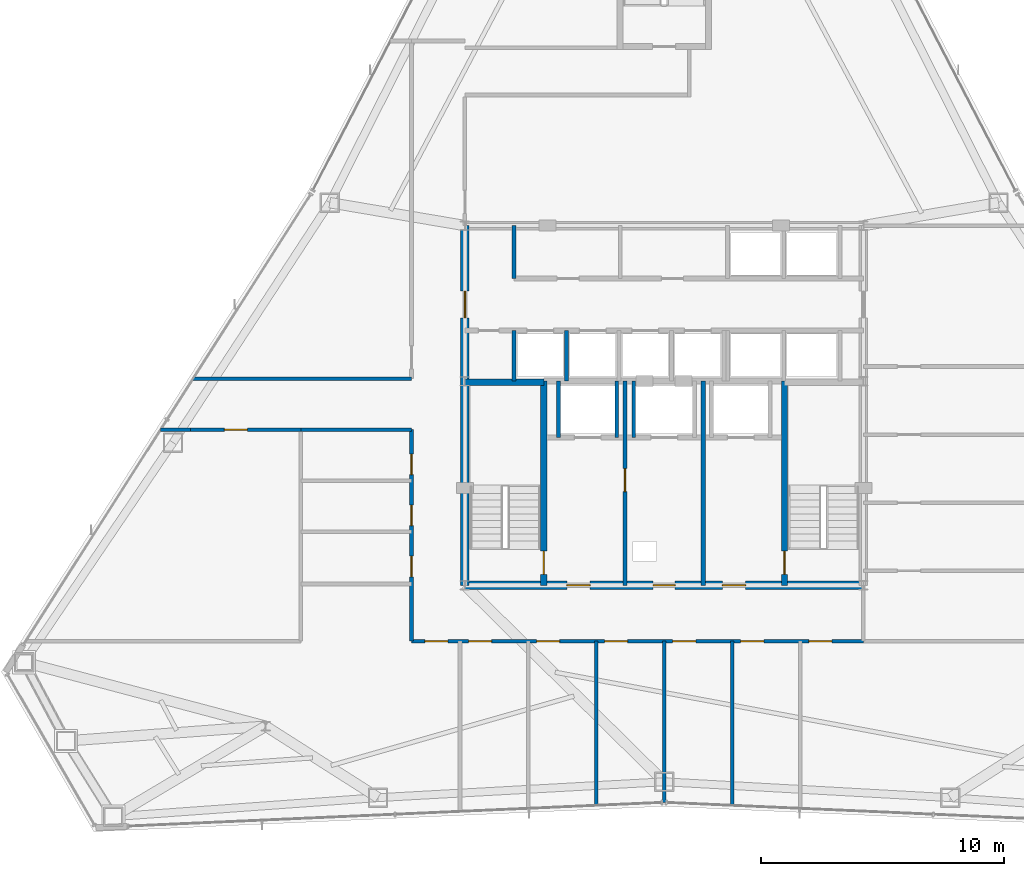
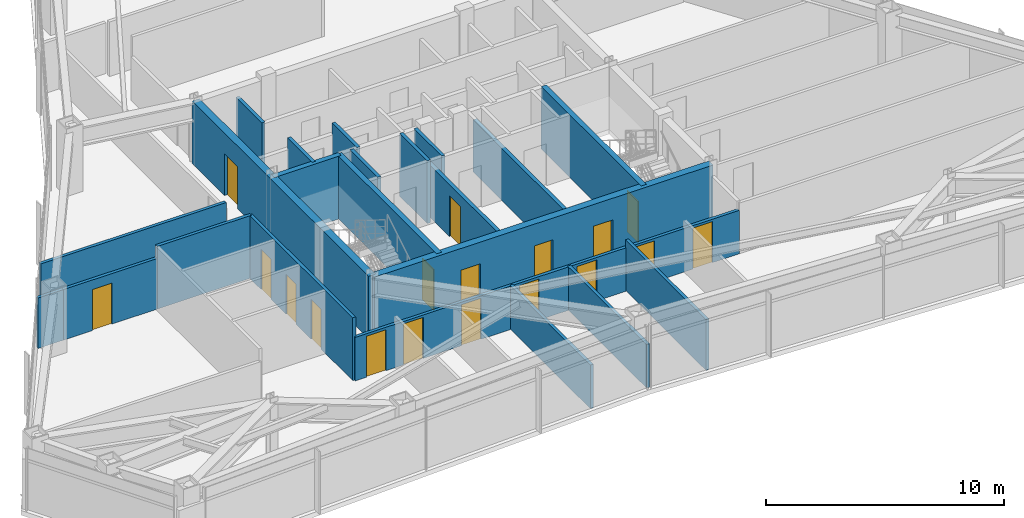
# One storey, part 10 of 13: 22 walls, 18 doors, 18 openings.
"""IFC4 building model written with IfcOpenShell, lengths in metres."""

from ifc_helpers import new_model, si_unit, direction, frame, frame_2d, origin, place, context, subcontext, project, spatial, rectangle, extrude, material, layer, layer_set, type_object, element, fill, save


model = new_model("IFC4")

# Units and contexts
model_context = context("Model", 3, precision=1e-05, world=origin(), true_north=direction((0.0, 1.0)))
body_context = subcontext(model_context, "Body", "Model", "MODEL_VIEW")
ifc_project = project(units=[si_unit("LENGTHUNIT", "METRE"), si_unit("AREAUNIT", "SQUARE_METRE"), si_unit("VOLUMEUNIT", "CUBIC_METRE"), si_unit("PLANEANGLEUNIT", "RADIAN"), si_unit("MASSUNIT", "GRAM", prefix="KILO")], contexts=[model_context])

# Site, building, storey
site_placement = place(None, origin())
site = spatial("IfcSite", under=ifc_project, at=site_placement, CompositionType="ELEMENT")
building_placement = place(site_placement, origin())
building = spatial("IfcBuilding", under=site, at=building_placement, Name="Varakhsha Concourse Tower", CompositionType="ELEMENT")
storey_placement = place(building_placement, frame((0.0, 0.0, 189.60009765625)))
storey = spatial("IfcBuildingStorey", under=building, at=storey_placement, Name="L54", CompositionType="ELEMENT", Elevation=189.60009765625)

# Wall, openings, doors
ifc_material_1 = material(Name="Concrete fc 65 MPa", Category="concrete")
ifc_layer_1 = layer(ifc_material_1, 0.35009765625, Name="WL-CORE-350")
ifc_layer_set_1 = layer_set([ifc_layer_1], Name="Concrete fc 65 MPa")
wall_type_1 = type_object("IfcWallType", Name="WL-CORE-350", PredefinedType="SHEAR", material=ifc_layer_set_1)
wall_1_placement = place(storey_placement, frame((31.800048828125, 16.39990234375, 0.0), z_axis=(0.0, 0.0, 1.0), x_axis=(1.0, 0.0, 0.0)))
wall_1 = element("IfcWall", 1, at=wall_1_placement, inside=storey, type_object=wall_type_1, Name="L54 Wall CWALL-S-L54", PredefinedType="SHEAR", context=body_context, shape_type="SweptSolid", body=[
    extrude(rectangle(XDim=16.39990234375, YDim=0.35009765625, at=frame_2d((8.199951171875, 0.0))), origin(), (0.0, 0.0, 1.0), 3.2099609375),
])
opening_1_placement = place(wall_1_placement, frame((7.75, 0.0, 0.0)))
opening_1 = element("IfcOpeningElement", 2, at=opening_1_placement, cuts=wall_1, Name="Opening DF-06", PredefinedType="OPENING", context=body_context, shape_type="SweptSolid", body=[
    extrude(rectangle(XDim=0.89990234375, YDim=2.10009765625, at=frame_2d((0.449951171875, 1.050048828125))), frame((0.0, 0.18505859375, 0.0), z_axis=(0.0, -1.0, 0.0), x_axis=(1.0, 0.0, 0.0)), (0.0, 0.0, 1.0), 0.3701171875),
])
opening_2_placement = place(wall_1_placement, frame((4.199951171875, 0.0, 0.0)))
opening_2 = element("IfcOpeningElement", 3, at=opening_2_placement, cuts=wall_1, Name="Opening DF-05", PredefinedType="OPENING", context=body_context, shape_type="SweptSolid", body=[
    extrude(rectangle(XDim=0.949951171875, YDim=2.10009765625, at=frame_2d((0.47509765625, 1.050048828125))), frame((0.0, 0.18505859375, 0.0), z_axis=(0.0, -1.0, 0.0), x_axis=(1.0, 0.0, 0.0)), (0.0, 0.0, 1.0), 0.3701171875),
])
opening_3_placement = place(wall_1_placement, frame((10.60009765625, 0.0, 0.0)))
opening_3 = element("IfcOpeningElement", 4, at=opening_3_placement, cuts=wall_1, Name="Opening DF-05", PredefinedType="OPENING", context=body_context, shape_type="SweptSolid", body=[
    extrude(rectangle(XDim=0.949951171875, YDim=2.10009765625, at=frame_2d((0.47509765625, 1.050048828125))), frame((0.0, 0.18505859375, 0.0), z_axis=(0.0, -1.0, 0.0), x_axis=(1.0, 0.0, 0.0)), (0.0, 0.0, 1.0), 0.3701171875),
])
ifc_material_2 = material(Name="Hollow Galvanised Steel Fire Door Assembly", Category="steel")
door_type_1 = type_object("IfcDoorType", Name="DR-FD60-900", OperationType="NOTDEFINED", PredefinedType="DOOR", material=ifc_material_2)
door_1_placement = place(opening_1_placement, origin())
door_1 = element("IfcDoor", 5, at=door_1_placement, inside=storey, type_object=door_type_1, Name="L54 Service Riser Vestibule Door", OperationType="SINGLE_SWING_LEFT", OverallHeight=2.10009765625, OverallWidth=0.89990234375, PredefinedType="DOOR", context=body_context, shape_type="SweptSolid", body=[
    extrude(rectangle(XDim=0.89990234375, YDim=2.10009765625, at=frame_2d((0.449951171875, 1.050048828125))), frame((0.0, 0.02490234375, 0.0), z_axis=(0.0, -1.0, 0.0), x_axis=(1.0, 0.0, 0.0)), (0.0, 0.0, 1.0), 0.050048828125),
])
fill(opening_1, door_1)
door_type_2 = type_object("IfcDoorType", Name="DR-FD60-950", OperationType="NOTDEFINED", PredefinedType="DOOR", material=ifc_material_2)
door_2_placement = place(opening_2_placement, origin())
door_2 = element("IfcDoor", 6, at=door_2_placement, inside=storey, type_object=door_type_2, Name="L54 Firefighting Lobby West Door", OperationType="SINGLE_SWING_RIGHT", OverallHeight=2.10009765625, OverallWidth=0.949951171875, PredefinedType="DOOR", context=body_context, shape_type="SweptSolid", body=[
    extrude(rectangle(XDim=0.949951171875, YDim=2.10009765625, at=frame_2d((0.47509765625, 1.050048828125))), frame((0.0, 0.02490234375, 0.0), z_axis=(0.0, -1.0, 0.0), x_axis=(1.0, 0.0, 0.0)), (0.0, 0.0, 1.0), 0.050048828125),
])
fill(opening_2, door_2)
door_3_placement = place(opening_3_placement, origin())
door_3 = element("IfcDoor", 7, at=door_3_placement, inside=storey, type_object=door_type_2, Name="L54 Firefighting Lobby East Door", OperationType="SINGLE_SWING_LEFT", OverallHeight=2.10009765625, OverallWidth=0.949951171875, PredefinedType="DOOR", context=body_context, shape_type="SweptSolid", body=[
    extrude(rectangle(XDim=0.949951171875, YDim=2.10009765625, at=frame_2d((0.47509765625, 1.050048828125))), frame((0.0, 0.02490234375, 0.0), z_axis=(0.0, -1.0, 0.0), x_axis=(1.0, 0.0, 0.0)), (0.0, 0.0, 1.0), 0.050048828125),
])
fill(opening_3, door_3)

# Wall, opening, door
wall_2_placement = place(storey_placement, frame((31.800048828125, 16.39990234375, 0.0), z_axis=(0.0, 0.0, 1.0), x_axis=(0.0, 1.0, 0.0)))
wall_2 = element("IfcWall", 8, at=wall_2_placement, inside=storey, type_object=wall_type_1, Name="L54 Wall CWALL-W-L54", PredefinedType="SHEAR", context=body_context, shape_type="SweptSolid", body=[
    extrude(rectangle(XDim=14.800048828125, YDim=0.35009765625, at=frame_2d((7.39990234375, 0.0))), origin(), (0.0, 0.0, 1.0), 3.2099609375),
])
opening_4_placement = place(wall_2_placement, frame((11.0, 0.0, 0.0)))
opening_4 = element("IfcOpeningElement", 9, at=opening_4_placement, cuts=wall_2, Name="Opening DL-01", PredefinedType="OPENING", context=body_context, shape_type="SweptSolid", body=[
    extrude(rectangle(XDim=1.10009765625, YDim=2.14990234375, at=frame_2d((0.550048828125, 1.074951171875))), frame((0.0, 0.18505859375, 0.0), z_axis=(0.0, -1.0, 0.0), x_axis=(1.0, 0.0, 0.0)), (0.0, 0.0, 1.0), 0.3701171875),
])
ifc_material_3 = material(Name="Anodised Bronze Architectural Aluminium AA 6063-T6", Category="aluminium")
door_type_3 = type_object("IfcDoorType", Name="DR-LOB-1100", OperationType="NOTDEFINED", PredefinedType="DOOR", material=ifc_material_3)
door_4_placement = place(opening_4_placement, origin())
door_4 = element("IfcDoor", 10, at=door_4_placement, inside=storey, type_object=door_type_3, Name="L54 Lift Lobby West Concourse Door", OperationType="SINGLE_SWING_LEFT", OverallHeight=2.14990234375, OverallWidth=1.10009765625, PredefinedType="DOOR", context=body_context, shape_type="SweptSolid", body=[
    extrude(rectangle(XDim=1.10009765625, YDim=2.14990234375, at=frame_2d((0.550048828125, 1.074951171875))), frame((0.0, 0.02490234375, 0.0), z_axis=(0.0, -1.0, 0.0), x_axis=(1.0, 0.0, 0.0)), (0.0, 0.0, 1.0), 0.050048828125),
])
fill(opening_4, door_4)

ifc_material_4 = material(Name="Fire-Rated Type X Gypsum Partition Assembly", Category="gypsum")
ifc_layer_2 = layer(ifc_material_4, 0.179931640625, Name="WL-FFLOB-180")
ifc_layer_set_2 = layer_set([ifc_layer_2], Name="Fire-Rated Type X Gypsum Partition Assembly")
wall_type_2 = type_object("IfcWallType", Name="WL-FFLOB-180", PredefinedType="PARTITIONING", material=ifc_layer_set_2)
wall_3_placement = place(storey_placement, frame((38.389892578125, 16.39990234375, 0.0), z_axis=(0.0, 0.0, 1.0), x_axis=(0.0, 1.0, 0.0)))
wall_3 = element("IfcWall", 11, at=wall_3_placement, inside=storey, type_object=wall_type_2, Name="L54 Wall FFW-1E-L54", PredefinedType="PARTITIONING", context=body_context, shape_type="SweptSolid", body=[
    extrude(rectangle(XDim=8.400146484375, YDim=0.179931640625, at=frame_2d((4.2001953125, 0.0))), origin(), (0.0, 0.0, 1.0), 2.664794921875),
])
opening_5_placement = place(wall_3_placement, frame((3.85009765625, 0.0, 0.0)))
opening_5 = element("IfcOpeningElement", 12, at=opening_5_placement, cuts=wall_3, Name="Opening DF-05", PredefinedType="OPENING", context=body_context, shape_type="SweptSolid", body=[
    extrude(rectangle(XDim=0.949951171875, YDim=2.10009765625, at=frame_2d((0.47509765625, 1.050048828125))), frame((0.0, 0.099853515625, 0.0), z_axis=(0.0, -1.0, 0.0), x_axis=(1.0, 0.0, 0.0)), (0.0, 0.0, 1.0), 0.199951171875),
])
door_5_placement = place(opening_5_placement, origin())
door_5 = element("IfcDoor", 13, at=door_5_placement, inside=storey, type_object=door_type_2, Name="L54 Service Vestibule Door", OperationType="SINGLE_SWING_RIGHT", OverallHeight=2.10009765625, OverallWidth=0.949951171875, PredefinedType="DOOR", context=body_context, shape_type="SweptSolid", body=[
    extrude(rectangle(XDim=0.949951171875, YDim=2.10009765625, at=frame_2d((0.47509765625, 1.050048828125))), frame((0.0, 0.02490234375, 0.0), z_axis=(0.0, -1.0, 0.0), x_axis=(1.0, 0.0, 0.0)), (0.0, 0.0, 1.0), 0.050048828125),
])
fill(opening_5, door_5)

# Wall
wall_4_placement = place(storey_placement, frame((41.610107421875, 16.39990234375, 0.0), z_axis=(0.0, 0.0, 1.0), x_axis=(0.0, 1.0, 0.0)))
element("IfcWall", 14, at=wall_4_placement, inside=storey, type_object=wall_type_2, Name="L54 Wall FFW-2W-L54", PredefinedType="PARTITIONING", context=body_context, shape_type="SweptSolid", body=[
    extrude(rectangle(XDim=8.400146484375, YDim=0.179931640625, at=frame_2d((4.2001953125, 0.0))), origin(), (0.0, 0.0, 1.0), 2.664794921875),
])

# Wall, openings, doors
ifc_layer_3 = layer(ifc_material_4, 0.14990234375, Name="WL-PART-150")
ifc_layer_set_3 = layer_set([ifc_layer_3], Name="Fire-Rated Type X Gypsum Partition Assembly")
wall_type_3 = type_object("IfcWallType", Name="WL-PART-150", PredefinedType="PARTITIONING", material=ifc_layer_set_3)
wall_5_placement = place(storey_placement, frame((29.60009765625, 14.10009765625, 0.0), z_axis=(0.0, 0.0, 1.0), x_axis=(1.0, 0.0, 0.0)))
wall_5 = element("IfcWall", 15, at=wall_5_placement, inside=storey, type_object=wall_type_3, Name="L54 Wall CRW-S-L54", PredefinedType="PARTITIONING", context=body_context, shape_type="SweptSolid", body=[
    extrude(rectangle(XDim=18.599853515625, YDim=0.14990234375, at=frame_2d((9.2998046875, 0.0))), origin(), (0.0, 0.0, 1.0), 2.224853515625),
])
opening_6_placement = place(wall_5_placement, frame((0.550048828125, 0.0, 0.0)))
opening_6 = element("IfcOpeningElement", 16, at=opening_6_placement, cuts=wall_5, Name="Opening DF-05", PredefinedType="OPENING", context=body_context, shape_type="SweptSolid", body=[
    extrude(rectangle(XDim=0.949951171875, YDim=2.10009765625, at=frame_2d((0.47509765625, 1.050048828125))), frame((0.0, 0.0849609375, 0.0), z_axis=(0.0, -1.0, 0.0), x_axis=(1.0, 0.0, 0.0)), (0.0, 0.0, 1.0), 0.169921875),
])
opening_7_placement = place(wall_5_placement, frame((2.35009765625, 0.0, 0.0)))
opening_7 = element("IfcOpeningElement", 17, at=opening_7_placement, cuts=wall_5, Name="Opening DF-05", PredefinedType="OPENING", context=body_context, shape_type="SweptSolid", body=[
    extrude(rectangle(XDim=0.949951171875, YDim=2.10009765625, at=frame_2d((0.47509765625, 1.050048828125))), frame((0.0, 0.0849609375, 0.0), z_axis=(0.0, -1.0, 0.0), x_axis=(1.0, 0.0, 0.0)), (0.0, 0.0, 1.0), 0.169921875),
])
opening_8_placement = place(wall_5_placement, frame((5.14990234375, 0.0, 0.0)))
opening_8 = element("IfcOpeningElement", 18, at=opening_8_placement, cuts=wall_5, Name="Opening DF-05", PredefinedType="OPENING", context=body_context, shape_type="SweptSolid", body=[
    extrude(rectangle(XDim=0.949951171875, YDim=2.10009765625, at=frame_2d((0.47509765625, 1.050048828125))), frame((0.0, 0.0849609375, 0.0), z_axis=(0.0, -1.0, 0.0), x_axis=(1.0, 0.0, 0.0)), (0.0, 0.0, 1.0), 0.169921875),
])
opening_9_placement = place(wall_5_placement, frame((7.949951171875, 0.0, 0.0)))
opening_9 = element("IfcOpeningElement", 19, at=opening_9_placement, cuts=wall_5, Name="Opening DF-05", PredefinedType="OPENING", context=body_context, shape_type="SweptSolid", body=[
    extrude(rectangle(XDim=0.949951171875, YDim=2.10009765625, at=frame_2d((0.47509765625, 1.050048828125))), frame((0.0, 0.0849609375, 0.0), z_axis=(0.0, -1.0, 0.0), x_axis=(1.0, 0.0, 0.0)), (0.0, 0.0, 1.0), 0.169921875),
])
opening_10_placement = place(wall_5_placement, frame((10.75, 0.0, 0.0)))
opening_10 = element("IfcOpeningElement", 20, at=opening_10_placement, cuts=wall_5, Name="Opening DF-05", PredefinedType="OPENING", context=body_context, shape_type="SweptSolid", body=[
    extrude(rectangle(XDim=0.949951171875, YDim=2.10009765625, at=frame_2d((0.47509765625, 1.050048828125))), frame((0.0, 0.0849609375, 0.0), z_axis=(0.0, -1.0, 0.0), x_axis=(1.0, 0.0, 0.0)), (0.0, 0.0, 1.0), 0.169921875),
])
opening_11_placement = place(wall_5_placement, frame((13.550048828125, 0.0, 0.0)))
opening_11 = element("IfcOpeningElement", 21, at=opening_11_placement, cuts=wall_5, Name="Opening DF-05", PredefinedType="OPENING", context=body_context, shape_type="SweptSolid", body=[
    extrude(rectangle(XDim=0.949951171875, YDim=2.10009765625, at=frame_2d((0.47509765625, 1.050048828125))), frame((0.0, 0.0849609375, 0.0), z_axis=(0.0, -1.0, 0.0), x_axis=(1.0, 0.0, 0.0)), (0.0, 0.0, 1.0), 0.169921875),
])
opening_12_placement = place(wall_5_placement, frame((16.35009765625, 0.0, 0.0)))
opening_12 = element("IfcOpeningElement", 22, at=opening_12_placement, cuts=wall_5, Name="Opening DF-05", PredefinedType="OPENING", context=body_context, shape_type="SweptSolid", body=[
    extrude(rectangle(XDim=0.949951171875, YDim=2.10009765625, at=frame_2d((0.47509765625, 1.050048828125))), frame((0.0, 0.0849609375, 0.0), z_axis=(0.0, -1.0, 0.0), x_axis=(1.0, 0.0, 0.0)), (0.0, 0.0, 1.0), 0.169921875),
])
door_6_placement = place(opening_6_placement, origin())
door_6 = element("IfcDoor", 23, at=door_6_placement, inside=storey, type_object=door_type_2, Name="L54 Project Controls Workroom L54-S1 Door", OperationType="SINGLE_SWING_LEFT", OverallHeight=2.10009765625, OverallWidth=0.949951171875, PredefinedType="DOOR", context=body_context, shape_type="SweptSolid", body=[
    extrude(rectangle(XDim=0.949951171875, YDim=2.10009765625, at=frame_2d((0.47509765625, 1.050048828125))), frame((0.0, 0.02490234375, 0.0), z_axis=(0.0, -1.0, 0.0), x_axis=(1.0, 0.0, 0.0)), (0.0, 0.0, 1.0), 0.050048828125),
])
fill(opening_6, door_6)
door_7_placement = place(opening_7_placement, origin())
door_7 = element("IfcDoor", 24, at=door_7_placement, inside=storey, type_object=door_type_2, Name="L54 Strategic Advisory Office Suite L54-S2 Door", OperationType="SINGLE_SWING_RIGHT", OverallHeight=2.10009765625, OverallWidth=0.949951171875, PredefinedType="DOOR", context=body_context, shape_type="SweptSolid", body=[
    extrude(rectangle(XDim=0.949951171875, YDim=2.10009765625, at=frame_2d((0.47509765625, 1.050048828125))), frame((0.0, 0.02490234375, 0.0), z_axis=(0.0, -1.0, 0.0), x_axis=(1.0, 0.0, 0.0)), (0.0, 0.0, 1.0), 0.050048828125),
])
fill(opening_7, door_7)
door_8_placement = place(opening_8_placement, origin())
door_8 = element("IfcDoor", 25, at=door_8_placement, inside=storey, type_object=door_type_2, Name="L54 Strategic Advisory Office Suite L54-S3 Door", OperationType="SINGLE_SWING_LEFT", OverallHeight=2.10009765625, OverallWidth=0.949951171875, PredefinedType="DOOR", context=body_context, shape_type="SweptSolid", body=[
    extrude(rectangle(XDim=0.949951171875, YDim=2.10009765625, at=frame_2d((0.47509765625, 1.050048828125))), frame((0.0, 0.02490234375, 0.0), z_axis=(0.0, -1.0, 0.0), x_axis=(1.0, 0.0, 0.0)), (0.0, 0.0, 1.0), 0.050048828125),
])
fill(opening_8, door_8)
door_9_placement = place(opening_9_placement, origin())
door_9 = element("IfcDoor", 26, at=door_9_placement, inside=storey, type_object=door_type_2, Name="L54 Strategic Advisory Office Suite L54-S4 Door", OperationType="SINGLE_SWING_RIGHT", OverallHeight=2.10009765625, OverallWidth=0.949951171875, PredefinedType="DOOR", context=body_context, shape_type="SweptSolid", body=[
    extrude(rectangle(XDim=0.949951171875, YDim=2.10009765625, at=frame_2d((0.47509765625, 1.050048828125))), frame((0.0, 0.02490234375, 0.0), z_axis=(0.0, -1.0, 0.0), x_axis=(1.0, 0.0, 0.0)), (0.0, 0.0, 1.0), 0.050048828125),
])
fill(opening_9, door_9)
door_10_placement = place(opening_10_placement, origin())
door_10 = element("IfcDoor", 27, at=door_10_placement, inside=storey, type_object=door_type_2, Name="L54 Strategic Advisory Office Suite L54-S5 Door", OperationType="SINGLE_SWING_LEFT", OverallHeight=2.10009765625, OverallWidth=0.949951171875, PredefinedType="DOOR", context=body_context, shape_type="SweptSolid", body=[
    extrude(rectangle(XDim=0.949951171875, YDim=2.10009765625, at=frame_2d((0.47509765625, 1.050048828125))), frame((0.0, 0.02490234375, 0.0), z_axis=(0.0, -1.0, 0.0), x_axis=(1.0, 0.0, 0.0)), (0.0, 0.0, 1.0), 0.050048828125),
])
fill(opening_10, door_10)
door_11_placement = place(opening_11_placement, origin())
door_11 = element("IfcDoor", 28, at=door_11_placement, inside=storey, type_object=door_type_2, Name="L54 Strategic Advisory Office Suite L54-S6 Door", OperationType="SINGLE_SWING_RIGHT", OverallHeight=2.10009765625, OverallWidth=0.949951171875, PredefinedType="DOOR", context=body_context, shape_type="SweptSolid", body=[
    extrude(rectangle(XDim=0.949951171875, YDim=2.10009765625, at=frame_2d((0.47509765625, 1.050048828125))), frame((0.0, 0.02490234375, 0.0), z_axis=(0.0, -1.0, 0.0), x_axis=(1.0, 0.0, 0.0)), (0.0, 0.0, 1.0), 0.050048828125),
])
fill(opening_11, door_11)
door_12_placement = place(opening_12_placement, origin())
door_12 = element("IfcDoor", 29, at=door_12_placement, inside=storey, type_object=door_type_2, Name="L54 Strategic Advisory Office Suite L54-S7 Door", OperationType="SINGLE_SWING_LEFT", OverallHeight=2.10009765625, OverallWidth=0.949951171875, PredefinedType="DOOR", context=body_context, shape_type="SweptSolid", body=[
    extrude(rectangle(XDim=0.949951171875, YDim=2.10009765625, at=frame_2d((0.47509765625, 1.050048828125))), frame((0.0, 0.02490234375, 0.0), z_axis=(0.0, -1.0, 0.0), x_axis=(1.0, 0.0, 0.0)), (0.0, 0.0, 1.0), 0.050048828125),
])
fill(opening_12, door_12)

wall_6_placement = place(storey_placement, frame((29.60009765625, 14.10009765625, 0.0), z_axis=(0.0, 0.0, 1.0), x_axis=(0.0, 1.0, 0.0)))
wall_6 = element("IfcWall", 30, at=wall_6_placement, inside=storey, type_object=wall_type_3, Name="L54 Wall CRW-WS-L54", PredefinedType="PARTITIONING", context=body_context, shape_type="SweptSolid", body=[
    extrude(rectangle(XDim=8.699951171875, YDim=0.14990234375, at=frame_2d((4.35009765625, 0.0))), origin(), (0.0, 0.0, 1.0), 3.2099609375),
])
opening_13_placement = place(wall_6_placement, frame((2.64990234375, 0.0, 0.0)))
opening_13 = element("IfcOpeningElement", 31, at=opening_13_placement, cuts=wall_6, Name="Opening DF-07", PredefinedType="OPENING", context=body_context, shape_type="SweptSolid", body=[
    extrude(rectangle(XDim=0.85009765625, YDim=2.050048828125, at=frame_2d((0.425048828125, 1.02490234375))), frame((0.0, 0.0849609375, 0.0), z_axis=(0.0, -1.0, 0.0), x_axis=(1.0, 0.0, 0.0)), (0.0, 0.0, 1.0), 0.169921875),
])
opening_14_placement = place(wall_6_placement, frame((4.75, 0.0, 0.0)))
opening_14 = element("IfcOpeningElement", 32, at=opening_14_placement, cuts=wall_6, Name="Opening DF-07", PredefinedType="OPENING", context=body_context, shape_type="SweptSolid", body=[
    extrude(rectangle(XDim=0.85009765625, YDim=2.050048828125, at=frame_2d((0.425048828125, 1.02490234375))), frame((0.0, 0.0849609375, 0.0), z_axis=(0.0, -1.0, 0.0), x_axis=(1.0, 0.0, 0.0)), (0.0, 0.0, 1.0), 0.169921875),
])
opening_15_placement = place(wall_6_placement, frame((6.85009765625, 0.0, 0.0)))
opening_15 = element("IfcOpeningElement", 33, at=opening_15_placement, cuts=wall_6, Name="Opening DF-07", PredefinedType="OPENING", context=body_context, shape_type="SweptSolid", body=[
    extrude(rectangle(XDim=0.85009765625, YDim=2.050048828125, at=frame_2d((0.425048828125, 1.02490234375))), frame((0.0, 0.0849609375, 0.0), z_axis=(0.0, -1.0, 0.0), x_axis=(1.0, 0.0, 0.0)), (0.0, 0.0, 1.0), 0.169921875),
])
door_type_4 = type_object("IfcDoorType", Name="DR-FD60-850", OperationType="NOTDEFINED", PredefinedType="DOOR", material=ifc_material_2)
door_13_placement = place(opening_13_placement, origin())
door_13 = element("IfcDoor", 34, at=door_13_placement, inside=storey, type_object=door_type_4, Name="L54 Men Restroom WC Door", OperationType="SINGLE_SWING_LEFT", OverallHeight=2.050048828125, OverallWidth=0.85009765625, PredefinedType="DOOR", context=body_context, shape_type="SweptSolid", body=[
    extrude(rectangle(XDim=0.85009765625, YDim=2.050048828125, at=frame_2d((0.425048828125, 1.02490234375))), frame((0.0, 0.02490234375, 0.0), z_axis=(0.0, -1.0, 0.0), x_axis=(1.0, 0.0, 0.0)), (0.0, 0.0, 1.0), 0.050048828125),
])
fill(opening_13, door_13)
door_14_placement = place(opening_14_placement, origin())
door_14 = element("IfcDoor", 35, at=door_14_placement, inside=storey, type_object=door_type_4, Name="L54 Women Restroom WC Door", OperationType="SINGLE_SWING_LEFT", OverallHeight=2.050048828125, OverallWidth=0.85009765625, PredefinedType="DOOR", context=body_context, shape_type="SweptSolid", body=[
    extrude(rectangle(XDim=0.85009765625, YDim=2.050048828125, at=frame_2d((0.425048828125, 1.02490234375))), frame((0.0, 0.02490234375, 0.0), z_axis=(0.0, -1.0, 0.0), x_axis=(1.0, 0.0, 0.0)), (0.0, 0.0, 1.0), 0.050048828125),
])
fill(opening_14, door_14)
door_15_placement = place(opening_15_placement, origin())
door_15 = element("IfcDoor", 36, at=door_15_placement, inside=storey, type_object=door_type_4, Name="L54 Accessible WC Door", OperationType="SINGLE_SWING_LEFT", OverallHeight=2.050048828125, OverallWidth=0.85009765625, PredefinedType="DOOR", context=body_context, shape_type="SweptSolid", body=[
    extrude(rectangle(XDim=0.85009765625, YDim=2.050048828125, at=frame_2d((0.425048828125, 1.02490234375))), frame((0.0, 0.02490234375, 0.0), z_axis=(0.0, -1.0, 0.0), x_axis=(1.0, 0.0, 0.0)), (0.0, 0.0, 1.0), 0.050048828125),
])
fill(opening_15, door_15)

# Walls
wall_7_placement = place(storey_placement, frame((19.276123046875, 22.800048828125, 0.0), z_axis=(0.0, 0.0, 1.0), x_axis=(1.0, 0.0, 0.0)))
element("IfcWall", 37, at=wall_7_placement, inside=storey, type_object=wall_type_3, Name="L54 Wall CRW-WWS-W-L54", PredefinedType="PARTITIONING", context=body_context, shape_type="SweptSolid", body=[
    extrude(rectangle(XDim=1.223876953125, YDim=0.14990234375, at=frame_2d((0.61181640625, 0.0))), origin(), (0.0, 0.0, 1.0), 2.5888671875),
])
wall_8_placement = place(storey_placement, frame((25.050048828125, 22.800048828125, 0.0), z_axis=(0.0, 0.0, 1.0), x_axis=(1.0, 0.0, 0.0)))
element("IfcWall", 38, at=wall_8_placement, inside=storey, type_object=wall_type_3, Name="L54 Wall CRW-WWS-E-L54", PredefinedType="PARTITIONING", context=body_context, shape_type="SweptSolid", body=[
    extrude(rectangle(XDim=4.550048828125, YDim=0.14990234375, at=frame_2d((2.27490234375, 0.0))), origin(), (0.0, 0.0, 1.0), 3.2099609375),
])
wall_9_placement = place(storey_placement, frame((20.615966796875, 24.89990234375, 0.0), z_axis=(0.0, 0.0, 1.0), x_axis=(1.0, 0.0, 0.0)))
element("IfcWall", 39, at=wall_9_placement, inside=storey, type_object=wall_type_3, Name="L54 Wall CRW-WWN-L54", PredefinedType="PARTITIONING", context=body_context, shape_type="SweptSolid", body=[
    extrude(rectangle(XDim=8.984130859375, YDim=0.14990234375, at=frame_2d((4.4921875, 0.0))), origin(), (0.0, 0.0, 1.0), 2.5888671875),
])
wall_10_placement = place(storey_placement, frame((37.199951171875, 7.341552734375, 0.0), z_axis=(0.0, 0.0, 1.0), x_axis=(0.0, 1.0, 0.0)))
element("IfcWall", 40, at=wall_10_placement, inside=storey, type_object=wall_type_3, Name="L54 Wall ODIV-S3-L54", PredefinedType="PARTITIONING", context=body_context, shape_type="SweptSolid", body=[
    extrude(rectangle(XDim=6.758544921875, YDim=0.14990234375, at=frame_2d((3.37939453125, 0.0))), origin(), (0.0, 0.0, 1.0), 2.224853515625),
])
wall_11_placement = place(storey_placement, frame((40.0, 7.46533203125, 0.0), z_axis=(0.0, 0.0, 1.0), x_axis=(0.0, 1.0, 0.0)))
element("IfcWall", 41, at=wall_11_placement, inside=storey, type_object=wall_type_3, Name="L54 Wall ODIV-S4-L54", PredefinedType="PARTITIONING", context=body_context, shape_type="SweptSolid", body=[
    extrude(rectangle(XDim=6.634765625, YDim=0.14990234375, at=frame_2d((3.3173828125, 0.0))), origin(), (0.0, 0.0, 1.0), 2.224853515625),
])
wall_12_placement = place(storey_placement, frame((42.800048828125, 7.341552734375, 0.0), z_axis=(0.0, 0.0, 1.0), x_axis=(0.0, 1.0, 0.0)))
element("IfcWall", 42, at=wall_12_placement, inside=storey, type_object=wall_type_3, Name="L54 Wall ODIV-S5-L54", PredefinedType="PARTITIONING", context=body_context, shape_type="SweptSolid", body=[
    extrude(rectangle(XDim=6.758544921875, YDim=0.14990234375, at=frame_2d((3.37939453125, 0.0))), origin(), (0.0, 0.0, 1.0), 2.5888671875),
])

# Wall, opening, door
wall_13_placement = place(storey_placement, frame((20.5, 22.800048828125, 0.0), z_axis=(0.0, 0.0, 1.0), x_axis=(1.0, 0.0, 0.0)))
wall_13 = element("IfcWall", 43, at=wall_13_placement, inside=storey, type_object=wall_type_3, Name="L54 Wall CRW-WWS-DOOR-L54", PredefinedType="PARTITIONING", context=body_context, shape_type="SweptSolid", body=[
    extrude(rectangle(XDim=4.550048828125, YDim=0.14990234375, at=frame_2d((2.27490234375, 0.0))), origin(), (0.0, 0.0, 1.0), 2.5888671875),
])
opening_16_placement = place(wall_13_placement, frame((1.39990234375, 0.0, 0.0)))
opening_16 = element("IfcOpeningElement", 44, at=opening_16_placement, cuts=wall_13, Name="Opening DF-05", PredefinedType="OPENING", context=body_context, shape_type="SweptSolid", body=[
    extrude(rectangle(XDim=0.949951171875, YDim=2.10009765625, at=frame_2d((0.47509765625, 1.050048828125))), frame((0.0, 0.0849609375, 0.0), z_axis=(0.0, -1.0, 0.0), x_axis=(1.0, 0.0, 0.0)), (0.0, 0.0, 1.0), 0.169921875),
])
door_16_placement = place(opening_16_placement, origin())
door_16 = element("IfcDoor", 45, at=door_16_placement, inside=storey, type_object=door_type_2, Name="L54 Client Briefing Studio L54-SW Door", OperationType="SINGLE_SWING_LEFT", OverallHeight=2.10009765625, OverallWidth=0.949951171875, PredefinedType="DOOR", context=body_context, shape_type="SweptSolid", body=[
    extrude(rectangle(XDim=0.949951171875, YDim=2.10009765625, at=frame_2d((0.47509765625, 1.050048828125))), frame((0.0, 0.02490234375, 0.0), z_axis=(0.0, -1.0, 0.0), x_axis=(1.0, 0.0, 0.0)), (0.0, 0.0, 1.0), 0.050048828125),
])
fill(opening_16, door_16)

# Walls
ifc_layer_4 = layer(ifc_material_4, 0.199951171875, Name="WL-SHAFT-220")
ifc_layer_set_4 = layer_set([ifc_layer_4], Name="Fire-Rated Type X Gypsum Partition Assembly")
wall_type_4 = type_object("IfcWallType", Name="WL-SHAFT-220", PredefinedType="SOLIDWALL", material=ifc_layer_set_4)
for number, where, z_axis, x_axis, name in (
    (46, (35.64990234375, 22.47998046875, 0.0), (0.0, 0.0, 1.0), (0.0, 1.0, 0.0), "L54 Wall SHW-FFL-1-W-L54"),
    (47, (38.050048828125, 22.47998046875, 0.0), (0.0, 0.0, 1.0), (0.0, 1.0, 0.0), "L54 Wall SHW-FFL-1-E-L54"),
    (48, (38.75, 22.47998046875, 0.0), (0.0, 0.0, 1.0), (0.0, 1.0, 0.0), "L54 Wall SHW-SVL-1-W-L54"),
):
    element("IfcWall", number, at=place(storey_placement, frame(where, z_axis=z_axis, x_axis=x_axis)), inside=storey, type_object=wall_type_4, Name=name, PredefinedType="SOLIDWALL", context=body_context, shape_type="SweptSolid", body=[
        extrude(rectangle(XDim=2.320068359375, YDim=0.159912109375, at=frame_2d((1.16015625, 0.0))), origin(), (0.0, 0.0, 1.0), 3.2099609375),
    ])
wall_14_placement = place(storey_placement, frame((33.820068359375, 29.02001953125, 0.0), z_axis=(0.0, 0.0, 1.0), x_axis=(0.0, 1.0, 0.0)))
element("IfcWall", 49, at=wall_14_placement, inside=storey, type_object=wall_type_4, Name="L54 Wall WBOH-E1-L54", PredefinedType="SOLIDWALL", context=body_context, shape_type="SweptSolid", body=[
    extrude(rectangle(XDim=2.179931640625, YDim=0.159912109375, at=frame_2d((1.08984375, 0.0))), origin(), (0.0, 0.0, 1.0), 2.664794921875),
])
for number, where, z_axis, x_axis, name in (
    (50, (33.820068359375, 24.800048828125, 0.0), (0.0, 0.0, 1.0), (0.0, 1.0, 0.0), "L54 Wall WBOH-E2-L54"),
    (51, (35.97998046875, 24.800048828125, 0.0), (0.0, 0.0, 1.0), (0.0, 1.0, 0.0), "L54 Wall SHW-LF-P05-E-L54"),
):
    element("IfcWall", number, at=place(storey_placement, frame(where, z_axis=z_axis, x_axis=x_axis)), inside=storey, type_object=wall_type_4, Name=name, PredefinedType="SOLIDWALL", context=body_context, shape_type="SweptSolid", body=[
        extrude(rectangle(XDim=2.079833984375, YDim=0.159912109375, at=frame_2d((1.0400390625, 0.0))), origin(), (0.0, 0.0, 1.0), 3.2099609375),
    ])

# Wall, opening, door
ifc_material_5 = material(Name="Concrete fc 45 MPa", Category="concrete")
ifc_layer_5 = layer(ifc_material_5, 0.25, Name="WL-STAIR-250")
ifc_layer_set_5 = layer_set([ifc_layer_5], Name="Concrete fc 45 MPa")
wall_type_5 = type_object("IfcWallType", Name="WL-STAIR-250", PredefinedType="SHEAR", material=ifc_layer_set_5)
wall_15_placement = place(storey_placement, frame((35.044921875, 16.39990234375, 0.0), z_axis=(0.0, 0.0, 1.0), x_axis=(0.0, 1.0, 0.0)))
wall_15 = element("IfcWall", 52, at=wall_15_placement, inside=storey, type_object=wall_type_5, Name="L54 Wall SWALL-ST1-E-L54", PredefinedType="SHEAR", context=body_context, shape_type="SweptSolid", body=[
    extrude(rectangle(XDim=8.400146484375, YDim=0.25, at=frame_2d((4.2001953125, 0.0))), origin(), (0.0, 0.0, 1.0), 3.2099609375),
])
opening_17_placement = place(wall_15_placement, frame((0.449951171875, 0.0, 0.0)))
opening_17 = element("IfcOpeningElement", 53, at=opening_17_placement, cuts=wall_15, Name="Opening DF-03", PredefinedType="OPENING", context=body_context, shape_type="SweptSolid", body=[
    extrude(rectangle(XDim=0.949951171875, YDim=2.10009765625, at=frame_2d((0.47509765625, 1.050048828125))), frame((0.0, 0.135009765625, 0.0), z_axis=(0.0, -1.0, 0.0), x_axis=(1.0, 0.0, 0.0)), (0.0, 0.0, 1.0), 0.27001953125),
])
door_type_5 = type_object("IfcDoorType", Name="DR-FD90-950", OperationType="NOTDEFINED", PredefinedType="DOOR", material=ifc_material_2)
door_17_placement = place(opening_17_placement, origin())
door_17 = element("IfcDoor", 54, at=door_17_placement, inside=storey, type_object=door_type_5, Name="L54 Stair ST1 Fire Door", OperationType="SINGLE_SWING_LEFT", OverallHeight=2.10009765625, OverallWidth=0.949951171875, PredefinedType="DOOR", context=body_context, shape_type="SweptSolid", body=[
    extrude(rectangle(XDim=0.949951171875, YDim=2.10009765625, at=frame_2d((0.47509765625, 1.050048828125))), frame((0.0, 0.02490234375, 0.0), z_axis=(0.0, -1.0, 0.0), x_axis=(1.0, 0.0, 0.0)), (0.0, 0.0, 1.0), 0.050048828125),
])
fill(opening_17, door_17)

# Wall
wall_16_placement = place(storey_placement, frame((31.800048828125, 24.7548828125, 0.0), z_axis=(0.0, 0.0, 1.0), x_axis=(1.0, 0.0, 0.0)))
element("IfcWall", 55, at=wall_16_placement, inside=storey, type_object=wall_type_5, Name="L54 Wall SWALL-ST1-N-L54", PredefinedType="SHEAR", context=body_context, shape_type="SweptSolid", body=[
    extrude(rectangle(XDim=3.244873046875, YDim=0.25, at=frame_2d((1.62255859375, 0.0))), origin(), (0.0, 0.0, 1.0), 3.2099609375),
])

# Wall, opening, door
wall_17_placement = place(storey_placement, frame((44.955078125, 16.39990234375, 0.0), z_axis=(0.0, 0.0, 1.0), x_axis=(0.0, 1.0, 0.0)))
wall_17 = element("IfcWall", 56, at=wall_17_placement, inside=storey, type_object=wall_type_5, Name="L54 Wall SWALL-ST2-W-L54", PredefinedType="SHEAR", context=body_context, shape_type="SweptSolid", body=[
    extrude(rectangle(XDim=8.400146484375, YDim=0.25, at=frame_2d((4.2001953125, 0.0))), origin(), (0.0, 0.0, 1.0), 3.2099609375),
])
opening_18_placement = place(wall_17_placement, frame((0.449951171875, 0.0, 0.0)))
opening_18 = element("IfcOpeningElement", 57, at=opening_18_placement, cuts=wall_17, Name="Opening DF-03", PredefinedType="OPENING", context=body_context, shape_type="SweptSolid", body=[
    extrude(rectangle(XDim=0.949951171875, YDim=2.10009765625, at=frame_2d((0.47509765625, 1.050048828125))), frame((0.0, 0.135009765625, 0.0), z_axis=(0.0, -1.0, 0.0), x_axis=(1.0, 0.0, 0.0)), (0.0, 0.0, 1.0), 0.27001953125),
])
door_18_placement = place(opening_18_placement, origin())
door_18 = element("IfcDoor", 58, at=door_18_placement, inside=storey, type_object=door_type_5, Name="L54 Stair ST2 Fire Door", OperationType="SINGLE_SWING_RIGHT", OverallHeight=2.10009765625, OverallWidth=0.949951171875, PredefinedType="DOOR", context=body_context, shape_type="SweptSolid", body=[
    extrude(rectangle(XDim=0.949951171875, YDim=2.10009765625, at=frame_2d((0.47509765625, 1.050048828125))), frame((0.0, 0.02490234375, 0.0), z_axis=(0.0, -1.0, 0.0), x_axis=(1.0, 0.0, 0.0)), (0.0, 0.0, 1.0), 0.050048828125),
])
fill(opening_18, door_18)

save(model, "model.ifc")
